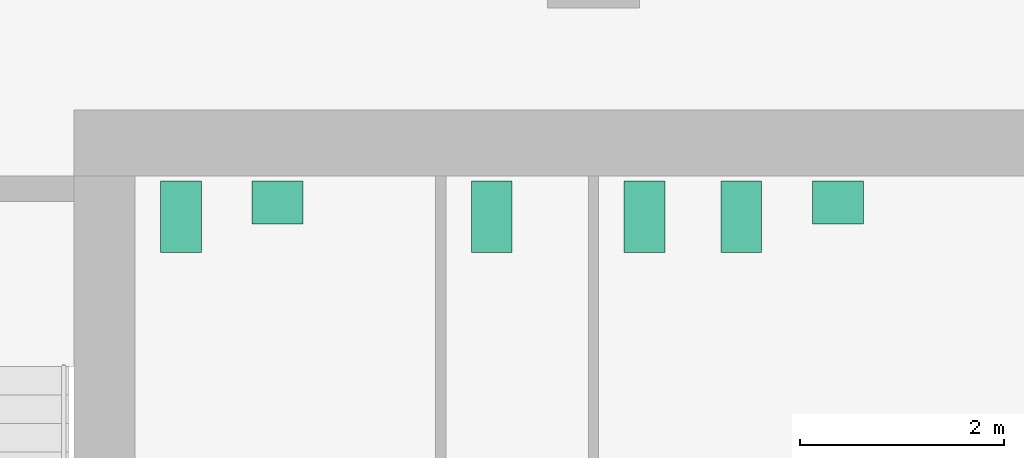
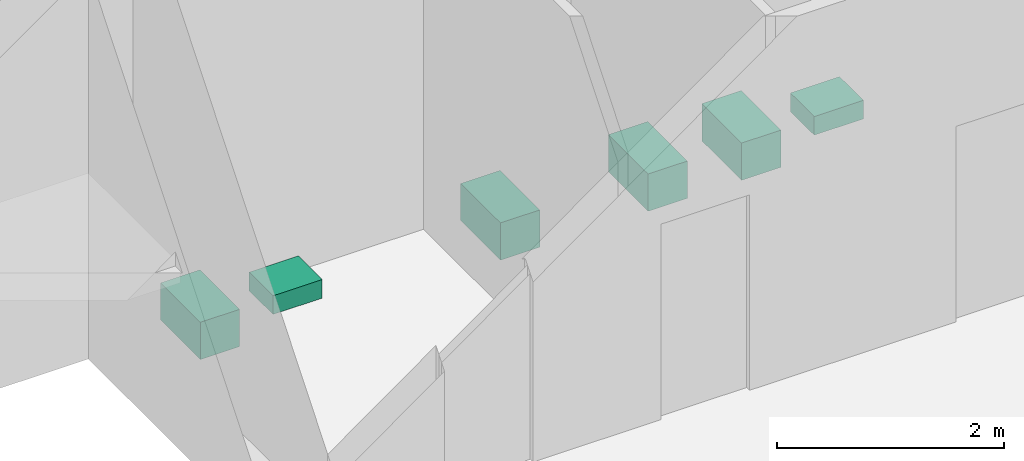
# One storey, part 7 of 7: 6 sanitary terminals.
"""IFC4 building model written with IfcOpenShell, lengths in metres."""

from ifc_helpers import new_model, si_unit, direction, frame, origin, origin_2d, place, context, subcontext, project, spatial, rectangle, extrude, material, type_object, element, save


model = new_model("IFC4")

# Units and contexts
model_context = context("Model", 3, precision=1e-05, world=origin(), true_north=direction((0.0, 1.0)))
body_context = subcontext(model_context, "Body", "Model", "MODEL_VIEW")
ifc_project = project(units=[si_unit("LENGTHUNIT", "METRE"), si_unit("AREAUNIT", "SQUARE_METRE"), si_unit("VOLUMEUNIT", "CUBIC_METRE"), si_unit("PLANEANGLEUNIT", "RADIAN"), si_unit("MASSUNIT", "GRAM", prefix="KILO")], contexts=[model_context])

# Site, building, storey
site_placement = place(None, origin())
site = spatial("IfcSite", under=ifc_project, at=site_placement, CompositionType="ELEMENT")
building_placement = place(site_placement, origin())
building = spatial("IfcBuilding", under=site, at=building_placement, Name="Cinnabar Reach Civic Tower", CompositionType="ELEMENT")
storey_placement = place(building_placement, frame((0.0, 0.0, 173.0)))
storey = spatial("IfcBuildingStorey", under=building, at=storey_placement, Name="L41", CompositionType="ELEMENT", Elevation=173.0)

# Sanitary terminals
ifc_material = material(Name="Vitreous china")
sanitary_terminal_type_1 = type_object("IfcSanitaryTerminalType", Name="T1 WC pan", PredefinedType="TOILETPAN", material=ifc_material)
for number, where, z_axis, x_axis, name in (
    (1, (4.95, 41.6, 0.0), (0.0, 0.0, 1.0), (1.0, 0.0, 0.0), "T1 WC pan 4109-1"),
    (2, (8.0, 41.6, 0.0), (0.0, 0.0, 1.0), (1.0, 0.0, 0.0), "T1 WC pan 4110-1"),
    (3, (9.5, 41.6, 0.0), (0.0, 0.0, 1.0), (1.0, 0.0, 0.0), "T1 WC pan 4111-1"),
    (4, (10.45, 41.6, 0.0), (0.0, 0.0, 1.0), (1.0, 0.0, 0.0), "T1 WC pan 4111-2"),
):
    element("IfcSanitaryTerminal", number, at=place(storey_placement, frame(where, z_axis=z_axis, x_axis=x_axis)), inside=storey, type_object=sanitary_terminal_type_1, Name=name, PredefinedType="TOILETPAN", context=body_context, shape_type="SweptSolid", body=[
        extrude(rectangle(XDim=0.4, YDim=0.7, at=origin_2d()), origin(), (0.0, 0.0, 1.0), 0.4),
    ])
sanitary_terminal_type_2 = type_object("IfcSanitaryTerminalType", Name="T1 wash basin", PredefinedType="WASHHANDBASIN", material=ifc_material)
for number, where, z_axis, x_axis, name in (
    (5, (5.9, 41.74, 0.0), (0.0, 0.0, 1.0), (1.0, 0.0, 0.0), "T1 wash basin 4109-2"),
    (6, (11.4, 41.74, 0.0), (0.0, 0.0, 1.0), (1.0, 0.0, 0.0), "T1 wash basin 4111-3"),
):
    element("IfcSanitaryTerminal", number, at=place(storey_placement, frame(where, z_axis=z_axis, x_axis=x_axis)), inside=storey, type_object=sanitary_terminal_type_2, Name=name, PredefinedType="WASHHANDBASIN", context=body_context, shape_type="SweptSolid", body=[
        extrude(rectangle(XDim=0.5, YDim=0.42, at=origin_2d()), origin(), (0.0, 0.0, 1.0), 0.2),
    ])

save(model, "model.ifc")
